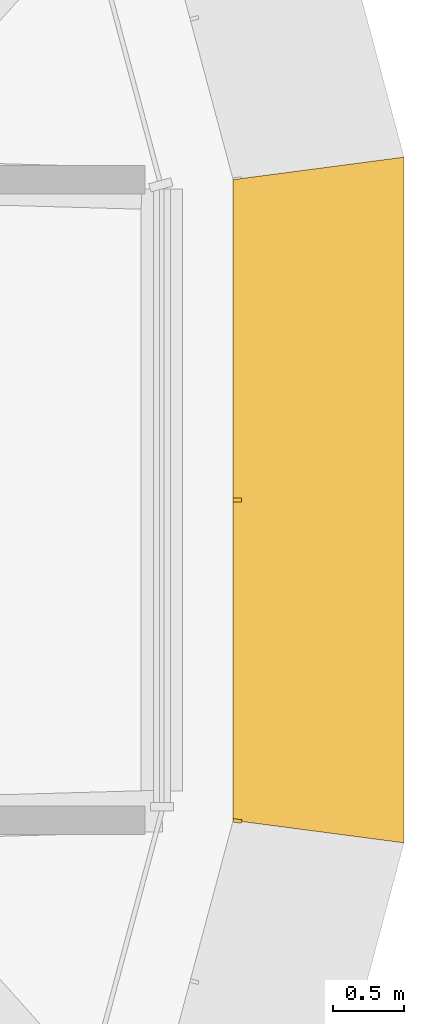
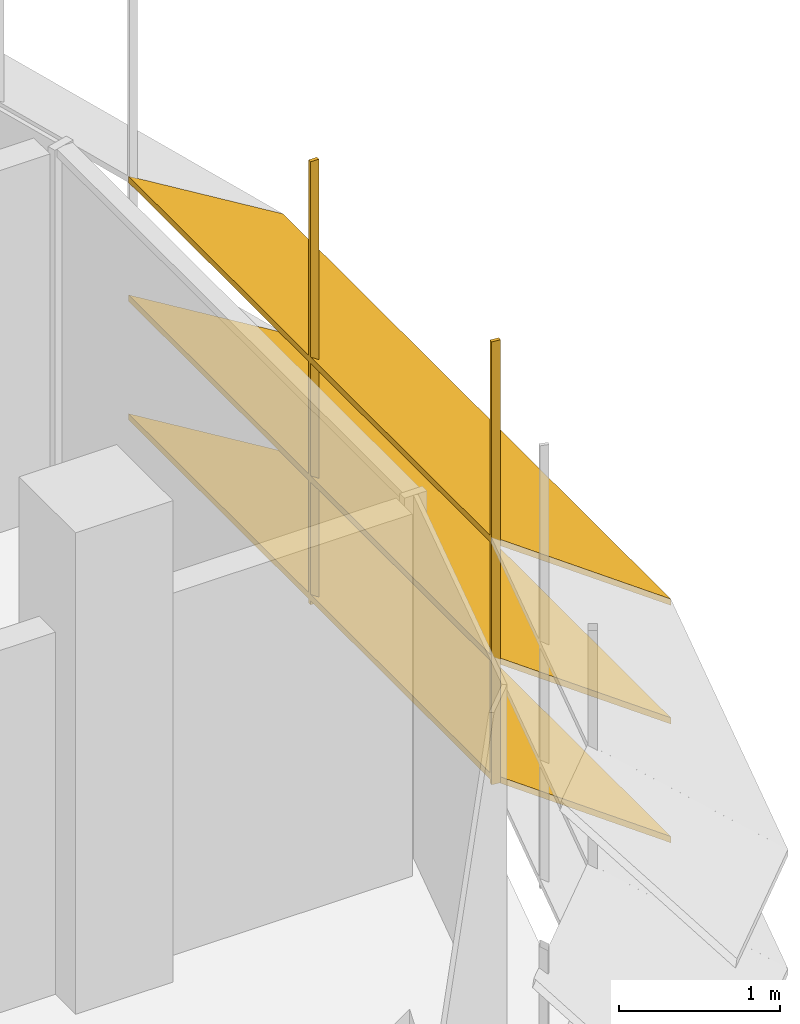
# One storey, part 19 of 19: 1 shading device.
"""IFC4 building model written with IfcOpenShell, lengths in metres."""

from ifc_helpers import new_model, si_unit, direction, frame, origin, place, context, subcontext, project, spatial, polyline, outline, extrude, faceted_brep, source, transform, mapped, material, type_object, element, save


model = new_model("IFC4")

# Units and contexts
model_context = context("Model", 3, precision=1e-05, world=origin(), true_north=direction((0.0, 1.0)))
body_context = subcontext(model_context, "Body", "Model", "MODEL_VIEW")
ifc_project = project(units=[si_unit("LENGTHUNIT", "METRE"), si_unit("AREAUNIT", "SQUARE_METRE"), si_unit("VOLUMEUNIT", "CUBIC_METRE"), si_unit("PLANEANGLEUNIT", "RADIAN"), si_unit("MASSUNIT", "GRAM", prefix="KILO")], contexts=[model_context])

# Site, building, storey
site_placement = place(None, origin())
site = spatial("IfcSite", under=ifc_project, at=site_placement, CompositionType="ELEMENT")
building_placement = place(site_placement, origin())
building = spatial("IfcBuilding", under=site, at=building_placement, Name="Zarbagh Exchange Tower", CompositionType="ELEMENT")
storey_placement = place(building_placement, frame((0.0, 0.0, 237.199951171875)))
storey = spatial("IfcBuildingStorey", under=building, at=storey_placement, Name="L58", CompositionType="ELEMENT", Elevation=237.199951171875)

# Shading device
ifc_material = material(Name="Anodised aluminium blades and brackets", Category="aluminium")
shading_device_type = type_object("IfcShadingDeviceType", Name="SUNSHADE louvre band, 33.75 degree blades", PredefinedType="JALOUSIE", material=ifc_material)
shared_shape_1 = source(origin(), body_context, "Body", "Brep", [
    faceted_brep([(0.0, 0.0, 0.0), (0.0, 0.0, -0.048095703125), (-0.157958984375, -1.199951171875, -0.849853515625), (-0.157958984375, -1.199951171875, -0.8017578125), (4.657958984375, -1.199951171875, -0.8017578125), (4.657958984375, -1.199951171875, -0.849853515625), (4.5, 0.0, -0.048095703125), (4.5, 0.0, 0.0)], [[[0, 1, 2, 3]], [[4, 5, 6, 7]], [[0, 7, 6, 1]], [[1, 6, 5, 2]], [[2, 5, 4, 3]], [[3, 4, 7, 0]]]),
])
shared_shape_2 = source(origin(), body_context, "Body", "SweptSolid", [
    extrude(outline(polyline([(0.0, -0.012451171875), (0.06005859375, -0.012451171875), (0.06005859375, 0.012451171875), (0.0, 0.012451171875), (0.0, -0.012451171875)])), origin(), (0.0, 0.0, 1.0), 3.358154296875),
])
shading_device_placement = place(storey_placement, origin())
element("IfcShadingDevice", 1, at=shading_device_placement, inside=storey, type_object=shading_device_type, Name="SS32 sunshade band", PredefinedType="JALOUSIE", context=body_context, shape_type="MappedRepresentation", body=[
    mapped(shared_shape_1, transform((31.5, -2.25, 2.300048828125), x_axis=(0.0, 1.0, 0.0), y_axis=(-1.0, 0.0, 0.0), z_axis=(0.0, 0.0, 1.0))),
    mapped(shared_shape_1, transform((31.5, -2.25, 1.400146484375), x_axis=(0.0, 1.0, 0.0), y_axis=(-1.0, 0.0, 0.0), z_axis=(0.0, 0.0, 1.0))),
    mapped(shared_shape_1, transform((31.5, -2.25, 0.5), x_axis=(0.0, 1.0, 0.0), y_axis=(-1.0, 0.0, 0.0), z_axis=(0.0, 0.0, 1.0))),
    mapped(shared_shape_2, transform((31.5, -2.25, 0.421875), x_axis=(0.991444457092, -0.130529263012, 0.0), y_axis=(0.130529263012, 0.991444457092, 0.0), z_axis=(0.0, 0.0, 1.0))),
    mapped(shared_shape_2, transform((31.5, 0.0, 0.421875), x_axis=(1.0, 0.0, 0.0), y_axis=(0.0, 1.0, 0.0), z_axis=(0.0, 0.0, 1.0))),
])

save(model, "model.ifc")
